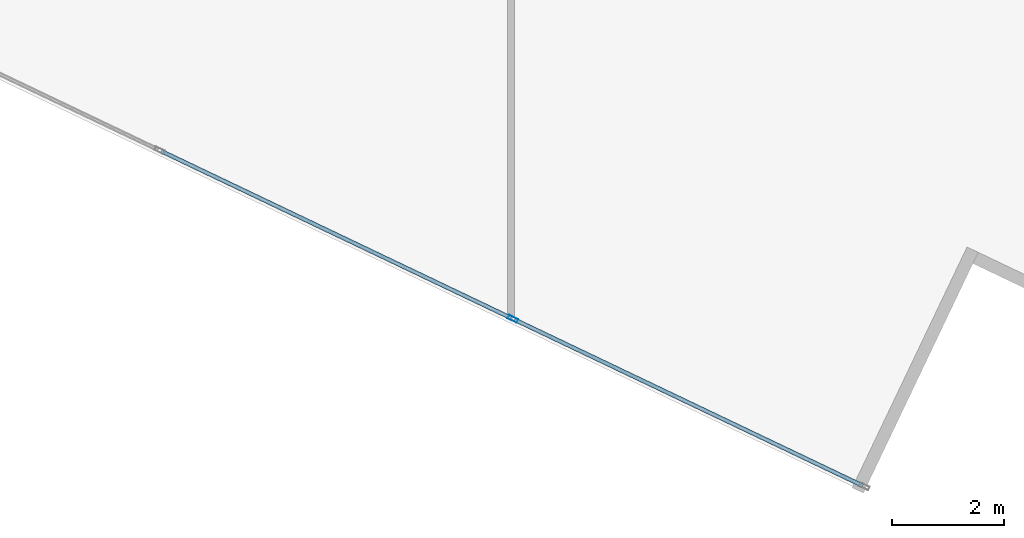
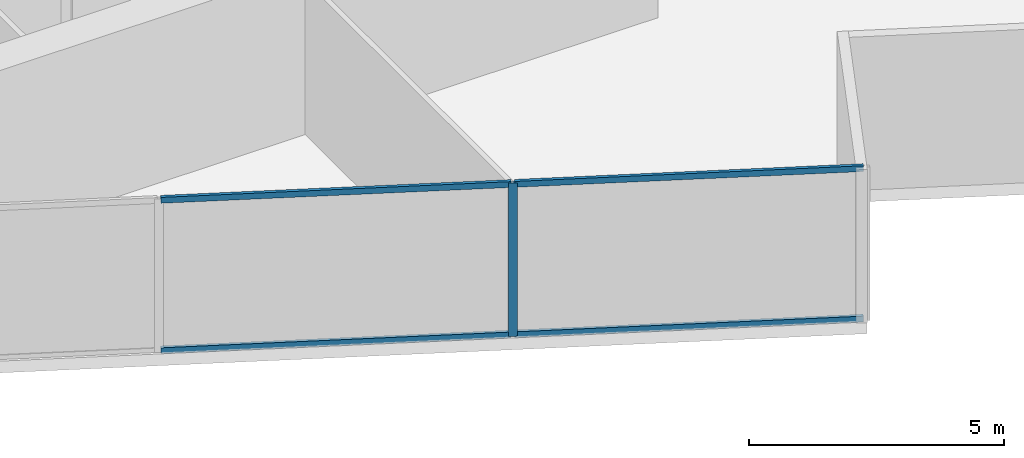
# One storey, part 4 of 25: 5 members, 1 element without a shape of its own.
"""IFC4 building model written with IfcOpenShell, lengths in metres."""

from ifc_helpers import new_model, si_unit, direction, frame, origin, origin_2d, place, context, subcontext, project, spatial, hollow_rectangle, extrude, source, transform, mapped, material, material_profile, profile_set, type_object, type_shapes, element, aggregate, save


model = new_model("IFC4")

# Units and contexts
model_context = context("Model", 3, precision=1e-05, world=origin(), true_north=direction((0.0, 1.0)))
body_context = subcontext(model_context, "Body", "Model", "MODEL_VIEW")
ifc_project = project(units=[si_unit("LENGTHUNIT", "METRE"), si_unit("AREAUNIT", "SQUARE_METRE"), si_unit("VOLUMEUNIT", "CUBIC_METRE"), si_unit("PLANEANGLEUNIT", "RADIAN"), si_unit("MASSUNIT", "GRAM", prefix="KILO")], contexts=[model_context])

# Site, building, storey
site_placement = place(None, origin())
site = spatial("IfcSite", under=ifc_project, at=site_placement, CompositionType="ELEMENT")
building_placement = place(site_placement, origin())
building = spatial("IfcBuilding", under=site, at=building_placement, Name="Krantzveldt Concourse Tower", CompositionType="ELEMENT")
storey_placement = place(building_placement, frame((0.0, 0.0, 146.199951171875)))
storey = spatial("IfcBuildingStorey", under=building, at=storey_placement, Name="L35", CompositionType="ELEMENT", Elevation=146.199951171875)

# Curtain wall, members
ifc_material = material(Name="Anodised aluminium 6063-T6", Category="aluminium")
curtain_wall_type = type_object("IfcCurtainWallType", Name="CW3", PredefinedType="USERDEFINED", material=ifc_material)
curtain_wall_placement = place(storey_placement, origin())
curtain_wall = element("IfcCurtainWall", 1, at=curtain_wall_placement, inside=storey, type_object=curtain_wall_type, Name="CW-L35-F04", ObjectType="UNITISED CURTAIN WALL", PredefinedType="USERDEFINED")
ifc_material_profile_1 = material_profile(ifc_material, hollow_rectangle(XDim=0.070068359375, YDim=0.179931640625, WallThickness=0.0048828125, at=origin_2d()), Name="Anodised aluminium 6063-T6", Category="aluminium")
ifc_profile_set_1 = profile_set([ifc_material_profile_1], Name="Anodised aluminium 6063-T6 - ALU-MULL 180x70x5")
member_type_1 = type_object("IfcMemberType", Name="CW-MUL-180", PredefinedType="MULLION", material=ifc_profile_set_1)
shared_shape_1 = source(origin(), body_context, "Body", "SweptSolid", [
    extrude(hollow_rectangle(XDim=0.070068359375, YDim=0.179931640625, WallThickness=0.0048828125, at=origin_2d()), origin(), (0.0, 0.0, 1.0), 3.670166015625),
])
type_shapes(member_type_1, [shared_shape_1])
member_1_placement = place(storey_placement, frame((36.033447265625, 2.52001953125, 0.0), z_axis=(0.0, 0.0, 1.0), x_axis=(0.430511162987, 0.902585252784, 0.0)))
member_1 = element("IfcMember", 2, at=member_1_placement, type_object=member_type_1, Name="CW-Z34 mullion 5", PredefinedType="MULLION", context=body_context, shape_type="MappedRepresentation", body=[
    mapped(shared_shape_1, transform((0.0, 0.0, 0.0), x_axis=(1.0, 0.0, 0.0), y_axis=(0.0, 1.0, 0.0), z_axis=(0.0, 0.0, 1.0), scale=1.0)),
])
ifc_material_profile_2 = material_profile(ifc_material, hollow_rectangle(XDim=0.070068359375, YDim=0.139892578125, WallThickness=0.0048828125, at=origin_2d()), Name="Anodised aluminium 6063-T6", Category="aluminium")
ifc_profile_set_2 = profile_set([ifc_material_profile_2], Name="Anodised aluminium 6063-T6 - ALU-TRAN 140x70x5")
member_type_2 = type_object("IfcMemberType", Name="CW-TRN-150", PredefinedType="USERDEFINED", material=ifc_profile_set_2)
shared_shape_2 = source(origin(), body_context, "Body", "SweptSolid", [
    extrude(hollow_rectangle(XDim=0.070068359375, YDim=0.139892578125, WallThickness=0.0048828125, at=origin_2d()), origin(), (0.0, 0.0, 1.0), 6.85498046875),
])
member_2_placement = place(storey_placement, frame((36.065185546875, 2.505126953125, 0.03515625), z_axis=(0.902585158764, -0.430511360105, 0.0), x_axis=(0.430511360105, 0.902585158764, 0.0)))
member_2 = element("IfcMember", 3, at=member_2_placement, type_object=member_type_2, Name="CW-Z34 transom 5.1", ObjectType="TRANSOM", PredefinedType="USERDEFINED", context=body_context, shape_type="MappedRepresentation", body=[
    mapped(shared_shape_2, transform((0.0, 0.0, 0.0), x_axis=(1.0, 0.0, 0.0), y_axis=(0.0, 1.0, 0.0), z_axis=(0.0, 0.0, 1.0), scale=1.0)),
])
member_3_placement = place(storey_placement, frame((36.065185546875, 2.505126953125, 3.635009765625), z_axis=(0.902585158764, -0.430511360105, 0.0), x_axis=(0.430511360105, 0.902585158764, 0.0)))
member_3 = element("IfcMember", 4, at=member_3_placement, type_object=member_type_2, Name="CW-Z34 transom 5.2", ObjectType="TRANSOM", PredefinedType="USERDEFINED", context=body_context, shape_type="MappedRepresentation", body=[
    mapped(shared_shape_2, transform((0.0, 0.0, 0.0), x_axis=(1.0, 0.0, 0.0), y_axis=(0.0, 1.0, 0.0), z_axis=(0.0, 0.0, 1.0), scale=1.0)),
])
shared_shape_3 = source(origin(), body_context, "Body", "SweptSolid", [
    extrude(hollow_rectangle(XDim=0.070068359375, YDim=0.139892578125, WallThickness=0.0048828125, at=origin_2d()), origin(), (0.0, 0.0, 1.0), 6.889892578125),
])
type_shapes(member_type_2, [shared_shape_2, shared_shape_3])
member_4_placement = place(storey_placement, frame((29.783203125, 5.50146484375, 0.03515625), z_axis=(0.902578685829, -0.430524930623, 0.0), x_axis=(0.430524930623, 0.902578685829, 0.0)))
member_4 = element("IfcMember", 5, at=member_4_placement, type_object=member_type_2, Name="CW-Z34 transom 4.1", ObjectType="TRANSOM", PredefinedType="USERDEFINED", context=body_context, shape_type="MappedRepresentation", body=[
    mapped(shared_shape_3, transform((0.0, 0.0, 0.0), x_axis=(1.0, 0.0, 0.0), y_axis=(0.0, 1.0, 0.0), z_axis=(0.0, 0.0, 1.0), scale=1.0)),
])
member_5_placement = place(storey_placement, frame((29.783203125, 5.50146484375, 3.635009765625), z_axis=(0.902578685829, -0.430524930623, 0.0), x_axis=(0.430524930623, 0.902578685829, 0.0)))
member_5 = element("IfcMember", 6, at=member_5_placement, type_object=member_type_2, Name="CW-Z34 transom 4.2", ObjectType="TRANSOM", PredefinedType="USERDEFINED", context=body_context, shape_type="MappedRepresentation", body=[
    mapped(shared_shape_3, transform((0.0, 0.0, 0.0), x_axis=(1.0, 0.0, 0.0), y_axis=(0.0, 1.0, 0.0), z_axis=(0.0, 0.0, 1.0), scale=1.0)),
])
aggregate(curtain_wall, [member_1, member_4, member_5, member_2, member_3])

save(model, "model.ifc")
